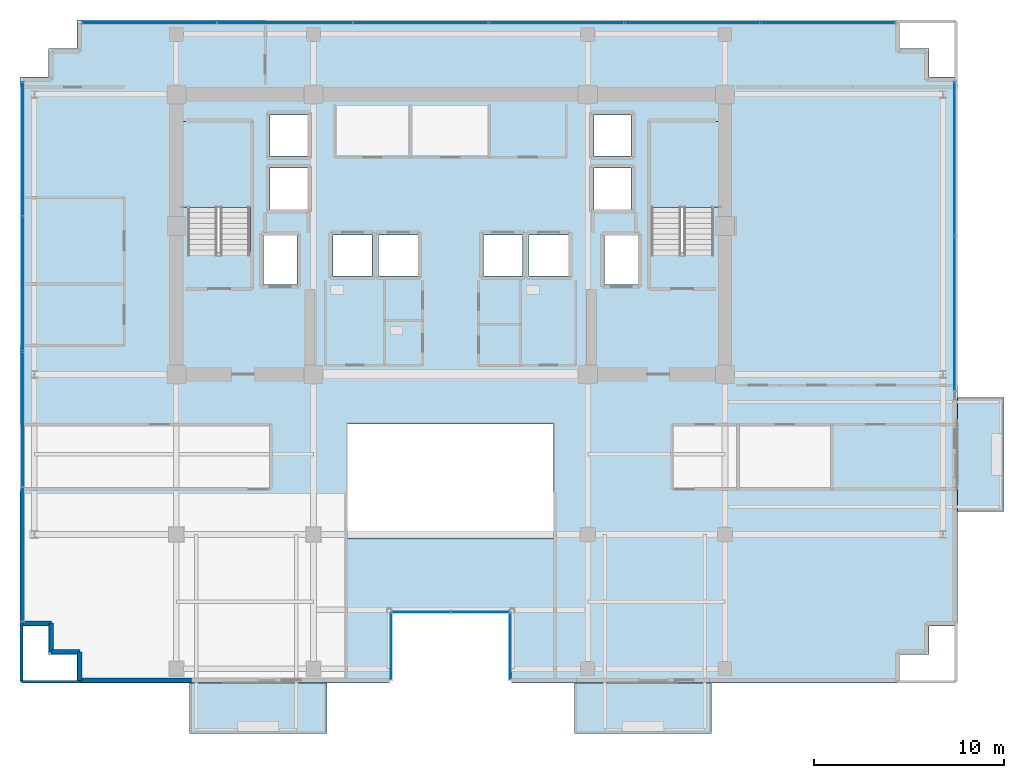
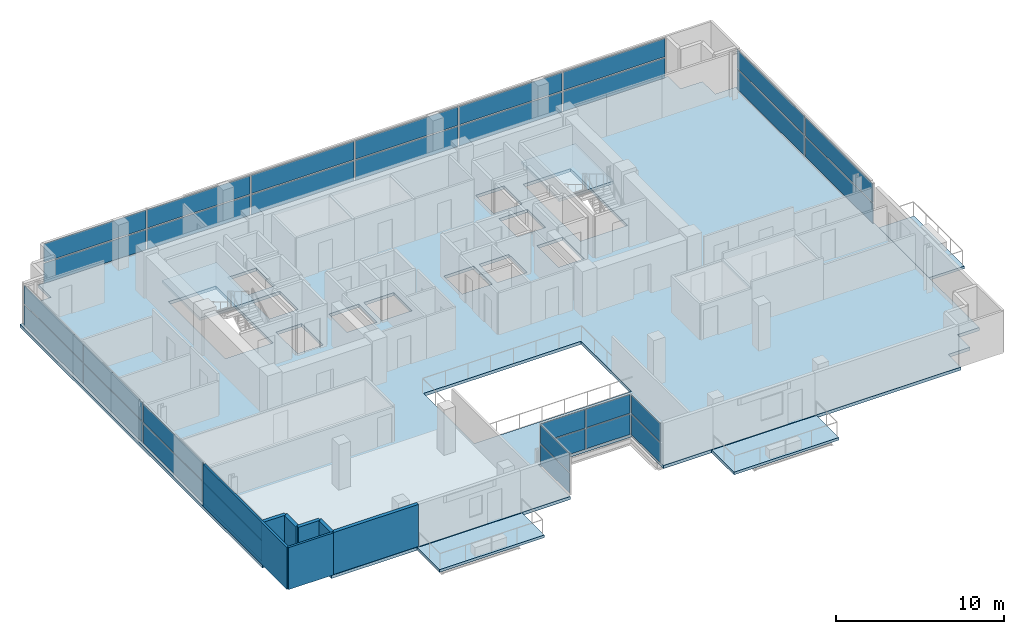
# One storey, part 14 of 22: 32 plates, 7 walls, 6 slabs, 8 elements without a shape of their own.
"""IFC4 building model written with IfcOpenShell, lengths in metres."""

import ifcopenshell
import ifcopenshell.guid

model = None  # the IFC model being written
_history = None  # IfcOwnerHistory: only IFC2X3 demands one
_inside = {}  # id of a spatial element -> (the spatial element, [elements in it])
_under = {}  # id of a project, library or spatial element -> (it, [spatial elements below it])
_declared = {}  # id of a project -> (the project, [libraries it declares])
_typed = {}  # id of a type object -> (the type object, [elements of that type])
_made_of = {}  # id of a material, layer set ... -> (it, [elements and type objects made of it])


def new_model(schema):
    """Start an empty IFC model of exactly this schema.

    Asked for "IFC4X3", IfcOpenShell would pick the latest addendum, in which some entities
    have other attributes; the version numbers below select the first issue.
    IFC2X3 requires an IfcOwnerHistory on every rooted entity: one is made here for all.
    """
    global model, _history
    if schema == "IFC4X3":
        model = ifcopenshell.file(schema_version=(4, 3, 0, 0))
    else:
        model = ifcopenshell.file(schema=schema)
    _inside.clear()
    _under.clear()
    _declared.clear()
    _typed.clear()
    _made_of.clear()
    _history = None
    if model.schema == "IFC2X3":
        org = make("IfcOrganization", Name="unknown")
        user = make(
            "IfcPersonAndOrganization",
            ThePerson=make("IfcPerson", FamilyName="unknown"),
            TheOrganization=org,
        )
        app = make(
            "IfcApplication",
            ApplicationDeveloper=org,
            Version="unknown",
            ApplicationFullName="unknown",
            ApplicationIdentifier="unknown",
        )
        _history = make(
            "IfcOwnerHistory",
            OwningUser=user,
            OwningApplication=app,
            ChangeAction="ADDED",
            CreationDate=0,
        )
    return model


def make(cls, **values):
    """One entity of the class cls with the attributes given. An attribute that is None is left unset."""
    return model.create_entity(
        cls, **{name: value for name, value in values.items() if value is not None}
    )


def rooted(cls, **values):
    """An entity with a GlobalId (a new one), such as an element, a storey or a relation."""
    return make(cls, GlobalId=ifcopenshell.guid.new(), OwnerHistory=_history, **values)


def si_unit(unit_type, name, prefix=None):
    """IfcSIUnit, for example si_unit("LENGTHUNIT", "METRE", prefix="MILLI")."""
    return make("IfcSIUnit", UnitType=unit_type, Prefix=prefix, Name=name)


def assignment(units):
    """IfcUnitAssignment: the units of a project."""
    return None if units is None else make("IfcUnitAssignment", Units=units)


def point(xyz):
    """IfcCartesianPoint."""
    return None if xyz is None else make("IfcCartesianPoint", Coordinates=xyz)


def direction(xyz):
    """IfcDirection."""
    return None if xyz is None else make("IfcDirection", DirectionRatios=xyz)


def frame(location, z_axis=None, x_axis=None):
    """IfcAxis2Placement3D, a coordinate frame: its origin and axes. An axis left out is left unset."""
    return make(
        "IfcAxis2Placement3D",
        Location=point(location),
        Axis=direction(z_axis),
        RefDirection=direction(x_axis),
    )


def frame_2d(location, x_axis=None):
    """IfcAxis2Placement2D, a coordinate frame in the plane: its origin and x axis."""
    return make(
        "IfcAxis2Placement2D", Location=point(location), RefDirection=direction(x_axis)
    )


def origin():
    """The frame at (0, 0, 0) with its axes left unset."""
    return frame((0.0, 0.0, 0.0))


def origin_2d():
    """The frame at (0, 0) in the plane with its x axis left unset."""
    return frame_2d((0.0, 0.0))


def place(relative_to, where):
    """IfcLocalPlacement: puts the frame where relative to a parent placement (None: the world)."""
    return make(
        "IfcLocalPlacement", PlacementRelTo=relative_to, RelativePlacement=where
    )


def context(
    kind, dimensions, precision=None, world=None, true_north=None, identifier=None
):
    """IfcGeometricRepresentationContext, for example the 3D "Model" context."""
    return make(
        "IfcGeometricRepresentationContext",
        ContextIdentifier=identifier,
        ContextType=kind,
        CoordinateSpaceDimension=dimensions,
        Precision=precision,
        WorldCoordinateSystem=world,
        TrueNorth=true_north,
    )


def subcontext(parent, identifier, kind, view, scale=None):
    """IfcGeometricRepresentationSubContext, for example "Body" below "Model"."""
    return make(
        "IfcGeometricRepresentationSubContext",
        ContextIdentifier=identifier,
        ContextType=kind,
        ParentContext=parent,
        TargetScale=scale,
        TargetView=view,
    )


def project(units=None, contexts=None):
    """IfcProject with its units and contexts."""
    return rooted(
        "IfcProject",
        Name="project",
        RepresentationContexts=contexts,
        UnitsInContext=assignment(units),
    )


def spatial(cls, under=None, at=None, **own):
    """A site, building, storey or space (cls), placed at a placement, below another one or the project."""
    s = rooted(cls, ObjectPlacement=at, **own)
    if under is not None:
        _under.setdefault(under.id(), (under, []))[1].append(s)
    return s


def polyline(points):
    """IfcPolyline through the points."""
    return make("IfcPolyline", Points=[point(p) for p in points])


def profile(cls, at=None, kind="AREA", **sizes):
    """A parametric profile (cls). Its sizes go by their IFC names, for example OverallWidth=200.0."""
    return make(cls, ProfileType=kind, Position=at, **sizes)


def rectangle(**sizes):
    """IfcRectangleProfileDef."""
    return profile("IfcRectangleProfileDef", **sizes)


def outline(outer, holes=None, kind="AREA"):
    """IfcArbitraryClosedProfileDef: a profile drawn as a closed curve; with holes, ...WithVoids."""
    if holes is None:
        return make("IfcArbitraryClosedProfileDef", ProfileType=kind, OuterCurve=outer)
    return make(
        "IfcArbitraryProfileDefWithVoids",
        ProfileType=kind,
        OuterCurve=outer,
        InnerCurves=holes,
    )


def extrude(swept, where, along, depth):
    """IfcExtrudedAreaSolid: the profile swept, set in the frame where, extruded along a direction by depth."""
    return make(
        "IfcExtrudedAreaSolid",
        SweptArea=swept,
        Position=where,
        ExtrudedDirection=direction(along),
        Depth=depth,
    )


def shape(context_of_items, identifier, shape_type, items):
    """IfcShapeRepresentation: the items that make up one representation, for example the "Body"."""
    return make(
        "IfcShapeRepresentation",
        ContextOfItems=context_of_items,
        RepresentationIdentifier=identifier,
        RepresentationType=shape_type,
        Items=items,
    )


def source(mapping_origin, context_of_items, identifier, shape_type, items):
    """IfcRepresentationMap: a shape defined once, which mapped items show again and again."""
    return make(
        "IfcRepresentationMap",
        MappingOrigin=mapping_origin,
        MappedRepresentation=shape(context_of_items, identifier, shape_type, items),
    )


def transform(
    local_origin,
    x_axis=None,
    y_axis=None,
    z_axis=None,
    scale=None,
    scale2=None,
    scale3=None,
    uniform=True,
):
    """IfcCartesianTransformationOperator3D, or its non-uniform kind. x_axis, y_axis, z_axis: its Axis1, 2, 3."""
    if uniform:
        return make(
            "IfcCartesianTransformationOperator3D",
            Axis1=direction(x_axis),
            Axis2=direction(y_axis),
            LocalOrigin=point(local_origin),
            Scale=scale,
            Axis3=direction(z_axis),
        )
    return make(
        "IfcCartesianTransformationOperator3DnonUniform",
        Axis1=direction(x_axis),
        Axis2=direction(y_axis),
        LocalOrigin=point(local_origin),
        Scale=scale,
        Axis3=direction(z_axis),
        Scale2=scale2,
        Scale3=scale3,
    )


def mapped(mapping_source, mapping_target):
    """IfcMappedItem: shows the shape of a source again, moved by a transform."""
    return make(
        "IfcMappedItem", MappingSource=mapping_source, MappingTarget=mapping_target
    )


def material(Name=None, Category=None):
    """IfcMaterial."""
    return make("IfcMaterial", Name=Name, Category=Category)


def layer(
    of_material, thickness, ventilated=None, Name=None, Category=None, Priority=None
):
    """IfcMaterialLayer: one layer of a wall or slab, of a material (None: an air gap)."""
    return make(
        "IfcMaterialLayer",
        Material=of_material,
        LayerThickness=thickness,
        IsVentilated=ventilated,
        Name=Name,
        Category=Category,
        Priority=Priority,
    )


def layer_set(layers, Name=None):
    """IfcMaterialLayerSet."""
    return make("IfcMaterialLayerSet", MaterialLayers=layers, LayerSetName=Name)


def made_of(thing, what):
    """Note that an element or type object is made of a material, layer set ...; save() writes the relation."""
    if what is not None:
        _made_of.setdefault(what.id(), (what, []))[1].append(thing)
    return thing


def type_object(cls, material=None, **own):
    """A type object (cls), such as IfcWallType, which elements share."""
    return made_of(rooted(cls, **own), material)


def element(
    cls,
    number,
    at=None,
    inside=None,
    cuts=None,
    type_object=None,
    material=None,
    context=None,
    identifier="Body",
    shape_type=None,
    held_by="IfcProductDefinitionShape",
    body=None,
    shapes=None,
    **own,
):
    """One element of the class cls, such as IfcWall. Its Tag is "e" and its number.

    at: its placement. inside: the storey or other place that contains it. cuts: it is an
    opening in that element (IfcRelVoidsElement). A single representation is given by context,
    identifier, shape_type and body (its items); several are given by shapes. held_by: the class
    of the entity that holds the representations. save() writes the other relations.
    """
    e = rooted(cls, Tag="e%d" % number, ObjectPlacement=at, **own)
    if body is not None:
        shapes = [shape(context, identifier, shape_type, body)]
    if shapes is not None:
        e.Representation = make(held_by, Representations=shapes)
    if inside is not None:
        _inside.setdefault(inside.id(), (inside, []))[1].append(e)
    if cuts is not None:
        rooted(
            "IfcRelVoidsElement", RelatingBuildingElement=cuts, RelatedOpeningElement=e
        )
    if type_object is not None:
        _typed.setdefault(type_object.id(), (type_object, []))[1].append(e)
    return made_of(e, material)


def aggregate(whole, parts):
    """IfcRelAggregates: a whole, such as a stair, and the parts it consists of."""
    return rooted("IfcRelAggregates", RelatingObject=whole, RelatedObjects=parts)


def save(model, path):
    """Write the relations noted so far, then the file.

    IfcRelAggregates (storeys below a building ...), IfcRelContainedInSpatialStructure (elements
    in a storey), IfcRelDefinesByType, IfcRelAssociatesMaterial and IfcRelDeclares: one each for
    every whole, place, type object, material and project.
    """
    for whole, parts in _under.values():
        aggregate(whole, parts)
    for where, things in _inside.values():
        rooted(
            "IfcRelContainedInSpatialStructure",
            RelatedElements=things,
            RelatingStructure=where,
        )
    for kind, things in _typed.values():
        rooted("IfcRelDefinesByType", RelatedObjects=things, RelatingType=kind)
    for what, things in _made_of.values():
        rooted("IfcRelAssociatesMaterial", RelatedObjects=things, RelatingMaterial=what)
    for by, libraries in _declared.values():
        rooted("IfcRelDeclares", RelatingContext=by, RelatedDefinitions=libraries)
    model.write(path)


model = new_model("IFC4")

# Units and contexts
model_context = context("Model", 3, precision=1e-05, world=origin(), true_north=direction((0.0, 1.0)))
body_context = subcontext(model_context, "Body", "Model", "MODEL_VIEW")
ifc_project = project(units=[si_unit("LENGTHUNIT", "METRE"), si_unit("AREAUNIT", "SQUARE_METRE"), si_unit("VOLUMEUNIT", "CUBIC_METRE"), si_unit("PLANEANGLEUNIT", "RADIAN"), si_unit("MASSUNIT", "GRAM", prefix="KILO")], contexts=[model_context])

# Site, building, storey
site_placement = place(None, origin())
site = spatial("IfcSite", under=ifc_project, at=site_placement, CompositionType="ELEMENT")
building_placement = place(site_placement, origin())
building = spatial("IfcBuilding", under=site, at=building_placement, Name="Zarnakvel Exchange Tower", CompositionType="ELEMENT")
storey_placement = place(building_placement, frame((0.0, 0.0, 195.699951171875)))
storey = spatial("IfcBuildingStorey", under=building, at=storey_placement, Name="L55", CompositionType="ELEMENT", Elevation=195.699951171875)

# Stair, slab
ifc_material_1 = material(Name="Concrete C40/50", Category="concrete")
stair_type = type_object("IfcStairType", Name="STR-01", PredefinedType="HALF_TURN_STAIR", material=ifc_material_1)
stair_1_placement = place(storey_placement, origin())
stair_1 = element("IfcStair", 1, at=stair_1_placement, inside=storey, type_object=stair_type, Name="L55 Protected Core Exit Stair ST-01", PredefinedType="HALF_TURN_STAIR")
ifc_layer_1 = layer(ifc_material_1, 0.199951171875)
ifc_layer_set_1 = layer_set([ifc_layer_1], Name="Concrete C40/50")
slab_type_1 = type_object("IfcSlabType", Name="LDG-01", PredefinedType="LANDING", material=ifc_layer_set_1)
slab_1_placement = place(storey_placement, frame((0.0, 0.0, 1.449951171875)))
slab_1 = element("IfcSlab", 2, at=slab_1_placement, type_object=slab_type_1, Name="ST-01 landing 1", PredefinedType="LANDING", context=body_context, shape_type="SweptSolid", body=[
    extrude(outline(polyline([(-14.18994140625, 7.570068359375), (-10.4599609375, 7.570068359375), (-10.4599609375, 12.080078125), (-14.18994140625, 12.080078125), (-14.18994140625, 7.570068359375)])), origin(), (0.0, 0.0, 1.0), 0.2001953125),
])
aggregate(stair_1, [slab_1])

stair_2_placement = place(storey_placement, origin())
stair_2 = element("IfcStair", 3, at=stair_2_placement, inside=storey, type_object=stair_type, Name="L55 Protected Core Exit Stair ST-02", PredefinedType="HALF_TURN_STAIR")
slab_2_placement = place(storey_placement, frame((0.0, 0.0, 1.449951171875)))
slab_2 = element("IfcSlab", 4, at=slab_2_placement, type_object=slab_type_1, Name="ST-02 landing 1", PredefinedType="LANDING", context=body_context, shape_type="SweptSolid", body=[
    extrude(outline(polyline([(10.4599609375, 7.570068359375), (14.18994140625, 7.570068359375), (14.18994140625, 12.080078125), (10.4599609375, 12.080078125), (10.4599609375, 7.570068359375)])), origin(), (0.0, 0.0, 1.0), 0.2001953125),
])
aggregate(stair_2, [slab_2])

# Slabs
ifc_layer_2 = layer(ifc_material_1, 0.22509765625)
ifc_layer_set_2 = layer_set([ifc_layer_2], Name="Concrete C40/50")
slab_type_2 = type_object("IfcSlabType", Name="SL-04", PredefinedType="FLOOR", material=ifc_layer_set_2)
slab_3_placement = place(storey_placement, frame((0.0, 0.0, -0.224853515625)))
element("IfcSlab", 5, at=slab_3_placement, inside=storey, type_object=slab_type_2, Name="L55 Primary Structural Floor Slab", PredefinedType="FLOOR", context=body_context, shape_type="SweptSolid", body=[
    extrude(outline(polyline([(-22.60009765625, -14.39990234375), (-21.10009765625, -14.39990234375), (-21.10009765625, -15.89990234375), (-19.60009765625, -15.89990234375), (-19.60009765625, -17.39990234375), (-3.199951171875, -17.39990234375), (-3.199951171875, -13.60009765625), (3.199951171875, -13.60009765625), (3.199951171875, -17.39990234375), (23.60009765625, -17.39990234375), (23.60009765625, -15.89990234375), (25.10009765625, -15.89990234375), (25.10009765625, -14.39990234375), (26.60009765625, -14.39990234375), (26.60009765625, 14.39990234375), (25.10009765625, 14.39990234375), (25.10009765625, 15.89990234375), (23.60009765625, 15.89990234375), (23.60009765625, 17.39990234375), (-19.60009765625, 17.39990234375), (-19.60009765625, 15.89990234375), (-21.10009765625, 15.89990234375), (-21.10009765625, 14.39990234375), (-22.60009765625, 14.39990234375), (-22.60009765625, -14.39990234375)]), holes=[polyline([(-5.39990234375, -9.800048828125), (5.39990234375, -9.800048828125), (5.39990234375, -3.800048828125), (-5.39990234375, -3.800048828125), (-5.39990234375, -9.800048828125)]), polyline([(-13.800048828125, 5.2099609375), (-10.5400390625, 5.2099609375), (-10.5400390625, 12.0), (-13.800048828125, 12.0), (-13.800048828125, 5.2099609375)]), polyline([(10.5400390625, 5.2099609375), (13.800048828125, 5.2099609375), (13.800048828125, 12.0), (10.5400390625, 12.0), (10.5400390625, 5.2099609375)]), polyline([(-9.830078125, 3.52001953125), (-8.070068359375, 3.52001953125), (-8.070068359375, 6.080078125), (-9.830078125, 6.080078125), (-9.830078125, 3.52001953125)]), polyline([(8.070068359375, 3.52001953125), (9.830078125, 3.52001953125), (9.830078125, 6.080078125), (8.070068359375, 6.080078125), (8.070068359375, 3.52001953125)]), polyline([(-6.179931640625, 3.969970703125), (-4.1201171875, 3.969970703125), (-4.1201171875, 6.1298828125), (-6.179931640625, 6.1298828125), (-6.179931640625, 3.969970703125)]), polyline([(-3.780029296875, 3.969970703125), (-1.719970703125, 3.969970703125), (-1.719970703125, 6.1298828125), (-3.780029296875, 6.1298828125), (-3.780029296875, 3.969970703125)]), polyline([(1.719970703125, 3.969970703125), (3.780029296875, 3.969970703125), (3.780029296875, 6.1298828125), (1.719970703125, 6.1298828125), (1.719970703125, 3.969970703125)]), polyline([(4.1201171875, 3.969970703125), (6.179931640625, 3.969970703125), (6.179931640625, 6.1298828125), (4.1201171875, 6.1298828125), (4.1201171875, 3.969970703125)]), polyline([(-9.47998046875, 7.469970703125), (-7.52001953125, 7.469970703125), (-7.52001953125, 9.6298828125), (-9.47998046875, 9.6298828125), (-9.47998046875, 7.469970703125)]), polyline([(-9.47998046875, 10.27001953125), (-7.52001953125, 10.27001953125), (-7.52001953125, 12.429931640625), (-9.47998046875, 12.429931640625), (-9.47998046875, 10.27001953125)]), polyline([(7.52001953125, 7.469970703125), (9.47998046875, 7.469970703125), (9.47998046875, 9.6298828125), (7.52001953125, 9.6298828125), (7.52001953125, 7.469970703125)]), polyline([(7.52001953125, 10.27001953125), (9.47998046875, 10.27001953125), (9.47998046875, 12.429931640625), (7.52001953125, 12.429931640625), (7.52001953125, 10.27001953125)])]), origin(), (0.0, 0.0, 1.0), 0.224853515625),
])
ifc_layer_3 = layer(ifc_material_1, 0.18994140625)
ifc_layer_set_3 = layer_set([ifc_layer_3], Name="Concrete C40/50")
slab_type_3 = type_object("IfcSlabType", Name="SL-08", PredefinedType="USERDEFINED", material=ifc_layer_set_3)
slab_4_placement = place(storey_placement, frame((0.0, 0.0, -0.224853515625)))
element("IfcSlab", 6, at=slab_4_placement, inside=storey, type_object=slab_type_3, Name="L55 Planted Loggia Balcony Slab BAL-L55-SW", ObjectType="BALCONY", PredefinedType="USERDEFINED", context=body_context, shape_type="SweptSolid", body=[
    extrude(outline(polyline([(-13.699951171875, -20.050048828125), (-6.5, -20.050048828125), (-6.5, -17.39990234375), (-13.699951171875, -17.39990234375), (-13.699951171875, -20.050048828125)])), origin(), (0.0, 0.0, 1.0), 0.18994140625),
])
slab_5_placement = place(storey_placement, frame((0.0, 0.0, -0.224853515625)))
element("IfcSlab", 7, at=slab_5_placement, inside=storey, type_object=slab_type_3, Name="L55 Planted Loggia Balcony Slab BAL-L55-SE", ObjectType="BALCONY", PredefinedType="USERDEFINED", context=body_context, shape_type="SweptSolid", body=[
    extrude(outline(polyline([(6.5, -20.050048828125), (13.699951171875, -20.050048828125), (13.699951171875, -17.39990234375), (6.5, -17.39990234375), (6.5, -20.050048828125)])), origin(), (0.0, 0.0, 1.0), 0.18994140625),
])
slab_6_placement = place(storey_placement, frame((0.0, 0.0, -0.224853515625)))
element("IfcSlab", 8, at=slab_6_placement, inside=storey, type_object=slab_type_3, Name="L55 Planted Loggia Balcony Slab BAL-L55-E", ObjectType="BALCONY", PredefinedType="USERDEFINED", context=body_context, shape_type="SweptSolid", body=[
    extrude(outline(polyline([(26.60009765625, -8.39990234375), (29.050048828125, -8.39990234375), (29.050048828125, -2.39990234375), (26.60009765625, -2.39990234375), (26.60009765625, -8.39990234375)])), origin(), (0.0, 0.0, 1.0), 0.18994140625),
])

# Curtain wall, plate
ifc_material_2 = material(Name="Architectural Bronze Anodised Aluminium", Category="aluminium")
ifc_layer_4 = layer(ifc_material_2, 0.179931640625)
ifc_layer_set_4 = layer_set([ifc_layer_4], Name="Architectural Bronze Anodised Aluminium")
curtain_wall_type_1 = type_object("IfcCurtainWallType", Name="CW-05", PredefinedType="NOTDEFINED", material=ifc_layer_set_4)
curtain_wall_1_placement = place(storey_placement, origin())
curtain_wall_1 = element("IfcCurtainWall", 9, at=curtain_wall_1_placement, inside=storey, type_object=curtain_wall_type_1, Name="L55 Curtain Wall CW-L55-SLW (CW-05)", PredefinedType="NOTDEFINED")
ifc_material_3 = material(Name="Double Low-E Laminated Vision Glass", Category="glass")
ifc_layer_5 = layer(ifc_material_3, 0.02587890625)
ifc_layer_set_5 = layer_set([ifc_layer_5], Name="Double Low-E Laminated Vision Glass")
plate_type_1 = type_object("IfcPlateType", Name="CWP-05", PredefinedType="CURTAIN_PANEL", material=ifc_layer_set_5)
shared_shape_1 = source(origin(), body_context, "Body", "SweptSolid", [
    extrude(rectangle(XDim=3.4599609375, YDim=0.02587890625, at=origin_2d()), origin(), (0.0, 0.0, 1.0), 1.470703125),
])
plate_1_placement = place(storey_placement, frame((-3.1201171875, -15.47998046875, 0.070068359375), z_axis=(0.0, 0.0, 1.0), x_axis=(0.0, 1.0, 0.0)))
plate_1 = element("IfcPlate", 10, at=plate_1_placement, type_object=plate_type_1, Name="CW-05 panel 1.1", PredefinedType="CURTAIN_PANEL", context=body_context, shape_type="MappedRepresentation", body=[
    mapped(shared_shape_1, transform((0.0, 0.0, 0.0), x_axis=(1.0, 0.0, 0.0), y_axis=(0.0, 1.0, 0.0), z_axis=(0.0, 0.0, 1.0), scale=1.0)),
])

curtain_wall_2_placement = place(storey_placement, origin())
curtain_wall_2 = element("IfcCurtainWall", 11, at=curtain_wall_2_placement, inside=storey, type_object=curtain_wall_type_1, Name="L55 Curtain Wall CW-L55-SLE (CW-05)", PredefinedType="NOTDEFINED")
plate_2_placement = place(storey_placement, frame((3.1201171875, -15.47998046875, 0.070068359375), z_axis=(0.0, 0.0, 1.0), x_axis=(0.0, -1.0, 0.0)))
plate_2 = element("IfcPlate", 12, at=plate_2_placement, type_object=plate_type_1, Name="CW-05 panel 1.1", PredefinedType="CURTAIN_PANEL", context=body_context, shape_type="MappedRepresentation", body=[
    mapped(shared_shape_1, transform((0.0, 0.0, 0.0), x_axis=(1.0, 0.0, 0.0), y_axis=(0.0, 1.0, 0.0), z_axis=(0.0, 0.0, 1.0), scale=1.0)),
])

# Plate
shared_shape_2 = source(origin(), body_context, "Body", "SweptSolid", [
    extrude(rectangle(XDim=3.4599609375, YDim=0.02587890625, at=origin_2d()), origin(), (0.0, 0.0, 1.0), 1.349365234375),
])
plate_3_placement = place(storey_placement, frame((-3.1201171875, -15.47998046875, 1.61083984375), z_axis=(0.0, 0.0, 1.0), x_axis=(0.0, 1.0, 0.0)))
plate_3 = element("IfcPlate", 13, at=plate_3_placement, type_object=plate_type_1, Name="CW-05 panel 1.2", PredefinedType="CURTAIN_PANEL", context=body_context, shape_type="MappedRepresentation", body=[
    mapped(shared_shape_2, transform((0.0, 0.0, 0.0), x_axis=(1.0, 0.0, 0.0), y_axis=(0.0, 1.0, 0.0), z_axis=(0.0, 0.0, 1.0), scale=1.0)),
])

aggregate(curtain_wall_1, [plate_1, plate_3])

plate_4_placement = place(storey_placement, frame((3.1201171875, -15.47998046875, 1.61083984375), z_axis=(0.0, 0.0, 1.0), x_axis=(0.0, -1.0, 0.0)))
plate_4 = element("IfcPlate", 14, at=plate_4_placement, type_object=plate_type_1, Name="CW-05 panel 1.2", PredefinedType="CURTAIN_PANEL", context=body_context, shape_type="MappedRepresentation", body=[
    mapped(shared_shape_2, transform((0.0, 0.0, 0.0), x_axis=(1.0, 0.0, 0.0), y_axis=(0.0, 1.0, 0.0), z_axis=(0.0, 0.0, 1.0), scale=1.0)),
])

aggregate(curtain_wall_2, [plate_2, plate_4])

# Curtain wall, plates
curtain_wall_3_placement = place(storey_placement, origin())
curtain_wall_3 = element("IfcCurtainWall", 15, at=curtain_wall_3_placement, inside=storey, type_object=curtain_wall_type_1, Name="L55 Curtain Wall CW-L55-SLB (CW-05)", PredefinedType="NOTDEFINED")
shared_shape_3 = source(origin(), body_context, "Body", "SweptSolid", [
    extrude(rectangle(XDim=3.014892578125, YDim=0.02587890625, at=origin_2d()), origin(), (0.0, 0.0, 1.0), 1.470703125),
])
plate_5_placement = place(storey_placement, frame((-1.54248046875, -13.679931640625, 0.070068359375), z_axis=(0.0, 0.0, 1.0), x_axis=(1.0, 0.0, 0.0)))
plate_5 = element("IfcPlate", 16, at=plate_5_placement, type_object=plate_type_1, Name="CW-05 panel 1.1", PredefinedType="CURTAIN_PANEL", context=body_context, shape_type="MappedRepresentation", body=[
    mapped(shared_shape_3, transform((0.0, 0.0, 0.0), x_axis=(1.0, 0.0, 0.0), y_axis=(0.0, 1.0, 0.0), z_axis=(0.0, 0.0, 1.0), scale=1.0)),
])
plate_6_placement = place(storey_placement, frame((1.54248046875, -13.679931640625, 0.070068359375), z_axis=(0.0, 0.0, 1.0), x_axis=(1.0, 0.0, 0.0)))
plate_6 = element("IfcPlate", 17, at=plate_6_placement, type_object=plate_type_1, Name="CW-05 panel 2.1", PredefinedType="CURTAIN_PANEL", context=body_context, shape_type="MappedRepresentation", body=[
    mapped(shared_shape_3, transform((0.0, 0.0, 0.0), x_axis=(1.0, 0.0, 0.0), y_axis=(0.0, 1.0, 0.0), z_axis=(0.0, 0.0, 1.0), scale=1.0)),
])
shared_shape_4 = source(origin(), body_context, "Body", "SweptSolid", [
    extrude(rectangle(XDim=3.014892578125, YDim=0.02587890625, at=origin_2d()), origin(), (0.0, 0.0, 1.0), 1.349365234375),
])
plate_7_placement = place(storey_placement, frame((-1.54248046875, -13.679931640625, 1.61083984375), z_axis=(0.0, 0.0, 1.0), x_axis=(1.0, 0.0, 0.0)))
plate_7 = element("IfcPlate", 18, at=plate_7_placement, type_object=plate_type_1, Name="CW-05 panel 1.2", PredefinedType="CURTAIN_PANEL", context=body_context, shape_type="MappedRepresentation", body=[
    mapped(shared_shape_4, transform((0.0, 0.0, 0.0), x_axis=(1.0, 0.0, 0.0), y_axis=(0.0, 1.0, 0.0), z_axis=(0.0, 0.0, 1.0), scale=1.0)),
])
plate_8_placement = place(storey_placement, frame((1.54248046875, -13.679931640625, 1.61083984375), z_axis=(0.0, 0.0, 1.0), x_axis=(1.0, 0.0, 0.0)))
plate_8 = element("IfcPlate", 19, at=plate_8_placement, type_object=plate_type_1, Name="CW-05 panel 2.2", PredefinedType="CURTAIN_PANEL", context=body_context, shape_type="MappedRepresentation", body=[
    mapped(shared_shape_4, transform((0.0, 0.0, 0.0), x_axis=(1.0, 0.0, 0.0), y_axis=(0.0, 1.0, 0.0), z_axis=(0.0, 0.0, 1.0), scale=1.0)),
])
aggregate(curtain_wall_3, [plate_5, plate_7, plate_6, plate_8])

ifc_layer_6 = layer(ifc_material_2, 0.219970703125)
ifc_layer_set_6 = layer_set([ifc_layer_6], Name="Architectural Bronze Anodised Aluminium")
curtain_wall_type_2 = type_object("IfcCurtainWallType", Name="CW-03", PredefinedType="NOTDEFINED", material=ifc_layer_set_6)
curtain_wall_4_placement = place(storey_placement, origin())
curtain_wall_4 = element("IfcCurtainWall", 20, at=curtain_wall_4_placement, inside=storey, type_object=curtain_wall_type_2, Name="L55 Curtain Wall CW-L55-N1 (CW-03)", PredefinedType="NOTDEFINED")
ifc_layer_7 = layer(ifc_material_3, 0.030029296875)
ifc_layer_set_7 = layer_set([ifc_layer_7], Name="Double Low-E Laminated Vision Glass")
plate_type_2 = type_object("IfcPlateType", Name="CWP-03", PredefinedType="CURTAIN_PANEL", material=ifc_layer_set_7)
shared_shape_5 = source(origin(), body_context, "Body", "SweptSolid", [
    extrude(rectangle(XDim=7.013427734375, YDim=0.030029296875, at=origin_2d()), origin(), (0.0, 0.0, 1.0), 1.45556640625),
])
plate_9_placement = place(storey_placement, frame((-15.813232421875, 17.260009765625, 0.080078125), z_axis=(0.0, 0.0, 1.0), x_axis=(1.0, 0.0, 0.0)))
plate_9 = element("IfcPlate", 21, at=plate_9_placement, type_object=plate_type_2, Name="CW-03 panel 1.1", PredefinedType="CURTAIN_PANEL", context=body_context, shape_type="MappedRepresentation", body=[
    mapped(shared_shape_5, transform((0.0, 0.0, 0.0), x_axis=(1.0, 0.0, 0.0), y_axis=(0.0, 1.0, 0.0), z_axis=(0.0, 0.0, 1.0), scale=1.0)),
])
plate_10_placement = place(storey_placement, frame((19.813232421875, 17.260009765625, 0.080078125), z_axis=(0.0, 0.0, 1.0), x_axis=(1.0, 0.0, 0.0)))
plate_10 = element("IfcPlate", 22, at=plate_10_placement, type_object=plate_type_2, Name="CW-03 panel 6.1", PredefinedType="CURTAIN_PANEL", context=body_context, shape_type="MappedRepresentation", body=[
    mapped(shared_shape_5, transform((0.0, 0.0, 0.0), x_axis=(1.0, 0.0, 0.0), y_axis=(0.0, 1.0, 0.0), z_axis=(0.0, 0.0, 1.0), scale=1.0)),
])
shared_shape_6 = source(origin(), body_context, "Body", "SweptSolid", [
    extrude(rectangle(XDim=7.013427734375, YDim=0.030029296875, at=origin_2d()), origin(), (0.0, 0.0, 1.0), 1.33447265625),
])
plate_11_placement = place(storey_placement, frame((-15.813232421875, 17.260009765625, 1.61572265625), z_axis=(0.0, 0.0, 1.0), x_axis=(1.0, 0.0, 0.0)))
plate_11 = element("IfcPlate", 23, at=plate_11_placement, type_object=plate_type_2, Name="CW-03 panel 1.2", PredefinedType="CURTAIN_PANEL", context=body_context, shape_type="MappedRepresentation", body=[
    mapped(shared_shape_6, transform((0.0, 0.0, 0.0), x_axis=(1.0, 0.0, 0.0), y_axis=(0.0, 1.0, 0.0), z_axis=(0.0, 0.0, 1.0), scale=1.0)),
])
plate_12_placement = place(storey_placement, frame((19.813232421875, 17.260009765625, 1.61572265625), z_axis=(0.0, 0.0, 1.0), x_axis=(1.0, 0.0, 0.0)))
plate_12 = element("IfcPlate", 24, at=plate_12_placement, type_object=plate_type_2, Name="CW-03 panel 6.2", PredefinedType="CURTAIN_PANEL", context=body_context, shape_type="MappedRepresentation", body=[
    mapped(shared_shape_6, transform((0.0, 0.0, 0.0), x_axis=(1.0, 0.0, 0.0), y_axis=(0.0, 1.0, 0.0), z_axis=(0.0, 0.0, 1.0), scale=1.0)),
])
shared_shape_7 = source(origin(), body_context, "Body", "SweptSolid", [
    extrude(rectangle(XDim=7.05322265625, YDim=0.030029296875, at=origin_2d()), origin(), (0.0, 0.0, 1.0), 1.45556640625),
])
plate_13_placement = place(storey_placement, frame((-8.699951171875, 17.260009765625, 0.080078125), z_axis=(0.0, 0.0, 1.0), x_axis=(1.0, 0.0, 0.0)))
plate_13 = element("IfcPlate", 25, at=plate_13_placement, type_object=plate_type_2, Name="CW-03 panel 2.1", PredefinedType="CURTAIN_PANEL", context=body_context, shape_type="MappedRepresentation", body=[
    mapped(shared_shape_7, transform((0.0, 0.0, 0.0), x_axis=(1.0, 0.0, 0.0), y_axis=(0.0, 1.0, 0.0), z_axis=(0.0, 0.0, 1.0), scale=1.0)),
])
plate_14_placement = place(storey_placement, frame((-1.566650390625, 17.260009765625, 0.080078125), z_axis=(0.0, 0.0, 1.0), x_axis=(1.0, 0.0, 0.0)))
plate_14 = element("IfcPlate", 26, at=plate_14_placement, type_object=plate_type_2, Name="CW-03 panel 3.1", PredefinedType="CURTAIN_PANEL", context=body_context, shape_type="MappedRepresentation", body=[
    mapped(shared_shape_7, transform((0.0, 0.0, 0.0), x_axis=(1.0, 0.0, 0.0), y_axis=(0.0, 1.0, 0.0), z_axis=(0.0, 0.0, 1.0), scale=1.0)),
])
plate_15_placement = place(storey_placement, frame((5.566650390625, 17.260009765625, 0.080078125), z_axis=(0.0, 0.0, 1.0), x_axis=(1.0, 0.0, 0.0)))
plate_15 = element("IfcPlate", 27, at=plate_15_placement, type_object=plate_type_2, Name="CW-03 panel 4.1", PredefinedType="CURTAIN_PANEL", context=body_context, shape_type="MappedRepresentation", body=[
    mapped(shared_shape_7, transform((0.0, 0.0, 0.0), x_axis=(1.0, 0.0, 0.0), y_axis=(0.0, 1.0, 0.0), z_axis=(0.0, 0.0, 1.0), scale=1.0)),
])
plate_16_placement = place(storey_placement, frame((12.699951171875, 17.260009765625, 0.080078125), z_axis=(0.0, 0.0, 1.0), x_axis=(1.0, 0.0, 0.0)))
plate_16 = element("IfcPlate", 28, at=plate_16_placement, type_object=plate_type_2, Name="CW-03 panel 5.1", PredefinedType="CURTAIN_PANEL", context=body_context, shape_type="MappedRepresentation", body=[
    mapped(shared_shape_7, transform((0.0, 0.0, 0.0), x_axis=(1.0, 0.0, 0.0), y_axis=(0.0, 1.0, 0.0), z_axis=(0.0, 0.0, 1.0), scale=1.0)),
])
shared_shape_8 = source(origin(), body_context, "Body", "SweptSolid", [
    extrude(rectangle(XDim=7.05322265625, YDim=0.030029296875, at=origin_2d()), origin(), (0.0, 0.0, 1.0), 1.33447265625),
])
plate_17_placement = place(storey_placement, frame((-8.699951171875, 17.260009765625, 1.61572265625), z_axis=(0.0, 0.0, 1.0), x_axis=(1.0, 0.0, 0.0)))
plate_17 = element("IfcPlate", 29, at=plate_17_placement, type_object=plate_type_2, Name="CW-03 panel 2.2", PredefinedType="CURTAIN_PANEL", context=body_context, shape_type="MappedRepresentation", body=[
    mapped(shared_shape_8, transform((0.0, 0.0, 0.0), x_axis=(1.0, 0.0, 0.0), y_axis=(0.0, 1.0, 0.0), z_axis=(0.0, 0.0, 1.0), scale=1.0)),
])
plate_18_placement = place(storey_placement, frame((-1.566650390625, 17.260009765625, 1.61572265625), z_axis=(0.0, 0.0, 1.0), x_axis=(1.0, 0.0, 0.0)))
plate_18 = element("IfcPlate", 30, at=plate_18_placement, type_object=plate_type_2, Name="CW-03 panel 3.2", PredefinedType="CURTAIN_PANEL", context=body_context, shape_type="MappedRepresentation", body=[
    mapped(shared_shape_8, transform((0.0, 0.0, 0.0), x_axis=(1.0, 0.0, 0.0), y_axis=(0.0, 1.0, 0.0), z_axis=(0.0, 0.0, 1.0), scale=1.0)),
])
plate_19_placement = place(storey_placement, frame((5.566650390625, 17.260009765625, 1.61572265625), z_axis=(0.0, 0.0, 1.0), x_axis=(1.0, 0.0, 0.0)))
plate_19 = element("IfcPlate", 31, at=plate_19_placement, type_object=plate_type_2, Name="CW-03 panel 4.2", PredefinedType="CURTAIN_PANEL", context=body_context, shape_type="MappedRepresentation", body=[
    mapped(shared_shape_8, transform((0.0, 0.0, 0.0), x_axis=(1.0, 0.0, 0.0), y_axis=(0.0, 1.0, 0.0), z_axis=(0.0, 0.0, 1.0), scale=1.0)),
])
plate_20_placement = place(storey_placement, frame((12.699951171875, 17.260009765625, 1.61572265625), z_axis=(0.0, 0.0, 1.0), x_axis=(1.0, 0.0, 0.0)))
plate_20 = element("IfcPlate", 32, at=plate_20_placement, type_object=plate_type_2, Name="CW-03 panel 5.2", PredefinedType="CURTAIN_PANEL", context=body_context, shape_type="MappedRepresentation", body=[
    mapped(shared_shape_8, transform((0.0, 0.0, 0.0), x_axis=(1.0, 0.0, 0.0), y_axis=(0.0, 1.0, 0.0), z_axis=(0.0, 0.0, 1.0), scale=1.0)),
])
aggregate(curtain_wall_4, [plate_9, plate_11, plate_13, plate_17, plate_14, plate_18, plate_15, plate_19, plate_16, plate_20, plate_10, plate_12])

ifc_layer_8 = layer(ifc_material_2, 0.199951171875)
ifc_layer_set_8 = layer_set([ifc_layer_8], Name="Architectural Bronze Anodised Aluminium")
curtain_wall_type_3 = type_object("IfcCurtainWallType", Name="CW-04", PredefinedType="NOTDEFINED", material=ifc_layer_set_8)
curtain_wall_5_placement = place(storey_placement, origin())
curtain_wall_5 = element("IfcCurtainWall", 33, at=curtain_wall_5_placement, inside=storey, type_object=curtain_wall_type_3, Name="L55 Curtain Wall CW-L55-W1 (CW-04)", PredefinedType="NOTDEFINED")
ifc_layer_9 = layer(ifc_material_3, 0.028076171875)
ifc_layer_set_9 = layer_set([ifc_layer_9], Name="Double Low-E Laminated Vision Glass")
plate_type_3 = type_object("IfcPlateType", Name="CWP-04", PredefinedType="CURTAIN_PANEL", material=ifc_layer_set_9)
shared_shape_9 = source(origin(), body_context, "Body", "SweptSolid", [
    extrude(rectangle(XDim=6.987548828125, YDim=0.028076171875, at=origin_2d()), origin(), (0.0, 0.0, 1.0), 1.463134765625),
])
plate_21_placement = place(storey_placement, frame((-22.4599609375, -10.63134765625, 0.0751953125), z_axis=(0.0, 0.0, 1.0), x_axis=(0.0, 1.0, 0.0)))
plate_21 = element("IfcPlate", 34, at=plate_21_placement, type_object=plate_type_3, Name="CW-04 panel 1.1", PredefinedType="CURTAIN_PANEL", context=body_context, shape_type="MappedRepresentation", body=[
    mapped(shared_shape_9, transform((0.0, 0.0, 0.0), x_axis=(1.0, 0.0, 0.0), y_axis=(0.0, 1.0, 0.0), z_axis=(0.0, 0.0, 1.0), scale=1.0)),
])
plate_22_placement = place(storey_placement, frame((-22.4599609375, 10.63134765625, 0.0751953125), z_axis=(0.0, 0.0, 1.0), x_axis=(0.0, 1.0, 0.0)))
plate_22 = element("IfcPlate", 35, at=plate_22_placement, type_object=plate_type_3, Name="CW-04 panel 4.1", PredefinedType="CURTAIN_PANEL", context=body_context, shape_type="MappedRepresentation", body=[
    mapped(shared_shape_9, transform((0.0, 0.0, 0.0), x_axis=(1.0, 0.0, 0.0), y_axis=(0.0, 1.0, 0.0), z_axis=(0.0, 0.0, 1.0), scale=1.0)),
])
shared_shape_10 = source(origin(), body_context, "Body", "SweptSolid", [
    extrude(rectangle(XDim=6.987548828125, YDim=0.028076171875, at=origin_2d()), origin(), (0.0, 0.0, 1.0), 1.341796875),
])
plate_23_placement = place(storey_placement, frame((-22.4599609375, -10.63134765625, 1.61328125), z_axis=(0.0, 0.0, 1.0), x_axis=(0.0, 1.0, 0.0)))
plate_23 = element("IfcPlate", 36, at=plate_23_placement, type_object=plate_type_3, Name="CW-04 panel 1.2", PredefinedType="CURTAIN_PANEL", context=body_context, shape_type="MappedRepresentation", body=[
    mapped(shared_shape_10, transform((0.0, 0.0, 0.0), x_axis=(1.0, 0.0, 0.0), y_axis=(0.0, 1.0, 0.0), z_axis=(0.0, 0.0, 1.0), scale=1.0)),
])
plate_24_placement = place(storey_placement, frame((-22.4599609375, 10.63134765625, 1.61328125), z_axis=(0.0, 0.0, 1.0), x_axis=(0.0, 1.0, 0.0)))
plate_24 = element("IfcPlate", 37, at=plate_24_placement, type_object=plate_type_3, Name="CW-04 panel 4.2", PredefinedType="CURTAIN_PANEL", context=body_context, shape_type="MappedRepresentation", body=[
    mapped(shared_shape_10, transform((0.0, 0.0, 0.0), x_axis=(1.0, 0.0, 0.0), y_axis=(0.0, 1.0, 0.0), z_axis=(0.0, 0.0, 1.0), scale=1.0)),
])
shared_shape_11 = source(origin(), body_context, "Body", "SweptSolid", [
    extrude(rectangle(XDim=7.02490234375, YDim=0.028076171875, at=origin_2d()), origin(), (0.0, 0.0, 1.0), 1.463134765625),
])
plate_25_placement = place(storey_placement, frame((-22.4599609375, -3.550048828125, 0.0751953125), z_axis=(0.0, 0.0, 1.0), x_axis=(0.0, 1.0, 0.0)))
plate_25 = element("IfcPlate", 38, at=plate_25_placement, type_object=plate_type_3, Name="CW-04 panel 2.1", PredefinedType="CURTAIN_PANEL", context=body_context, shape_type="MappedRepresentation", body=[
    mapped(shared_shape_11, transform((0.0, 0.0, 0.0), x_axis=(1.0, 0.0, 0.0), y_axis=(0.0, 1.0, 0.0), z_axis=(0.0, 0.0, 1.0), scale=1.0)),
])
plate_26_placement = place(storey_placement, frame((-22.4599609375, 3.550048828125, 0.0751953125), z_axis=(0.0, 0.0, 1.0), x_axis=(0.0, 1.0, 0.0)))
plate_26 = element("IfcPlate", 39, at=plate_26_placement, type_object=plate_type_3, Name="CW-04 panel 3.1", PredefinedType="CURTAIN_PANEL", context=body_context, shape_type="MappedRepresentation", body=[
    mapped(shared_shape_11, transform((0.0, 0.0, 0.0), x_axis=(1.0, 0.0, 0.0), y_axis=(0.0, 1.0, 0.0), z_axis=(0.0, 0.0, 1.0), scale=1.0)),
])
shared_shape_12 = source(origin(), body_context, "Body", "SweptSolid", [
    extrude(rectangle(XDim=7.02490234375, YDim=0.028076171875, at=origin_2d()), origin(), (0.0, 0.0, 1.0), 1.341796875),
])
plate_27_placement = place(storey_placement, frame((-22.4599609375, -3.550048828125, 1.61328125), z_axis=(0.0, 0.0, 1.0), x_axis=(0.0, 1.0, 0.0)))
plate_27 = element("IfcPlate", 40, at=plate_27_placement, type_object=plate_type_3, Name="CW-04 panel 2.2", PredefinedType="CURTAIN_PANEL", context=body_context, shape_type="MappedRepresentation", body=[
    mapped(shared_shape_12, transform((0.0, 0.0, 0.0), x_axis=(1.0, 0.0, 0.0), y_axis=(0.0, 1.0, 0.0), z_axis=(0.0, 0.0, 1.0), scale=1.0)),
])
plate_28_placement = place(storey_placement, frame((-22.4599609375, 3.550048828125, 1.61328125), z_axis=(0.0, 0.0, 1.0), x_axis=(0.0, 1.0, 0.0)))
plate_28 = element("IfcPlate", 41, at=plate_28_placement, type_object=plate_type_3, Name="CW-04 panel 3.2", PredefinedType="CURTAIN_PANEL", context=body_context, shape_type="MappedRepresentation", body=[
    mapped(shared_shape_12, transform((0.0, 0.0, 0.0), x_axis=(1.0, 0.0, 0.0), y_axis=(0.0, 1.0, 0.0), z_axis=(0.0, 0.0, 1.0), scale=1.0)),
])
aggregate(curtain_wall_5, [plate_21, plate_23, plate_25, plate_27, plate_26, plate_28, plate_22, plate_24])

curtain_wall_6_placement = place(storey_placement, origin())
curtain_wall_6 = element("IfcCurtainWall", 42, at=curtain_wall_6_placement, inside=storey, type_object=curtain_wall_type_3, Name="L55 Curtain Wall CW-L55-EN (CW-04)", PredefinedType="NOTDEFINED")
shared_shape_13 = source(origin(), body_context, "Body", "SweptSolid", [
    extrude(rectangle(XDim=8.03759765625, YDim=0.028076171875, at=origin_2d()), origin(), (0.0, 0.0, 1.0), 1.463134765625),
])
plate_29_placement = place(storey_placement, frame((26.4599609375, 1.99365234375, 0.0751953125), z_axis=(0.0, 0.0, 1.0), x_axis=(0.0, 1.0, 0.0)))
plate_29 = element("IfcPlate", 43, at=plate_29_placement, type_object=plate_type_3, Name="CW-04 panel 1.1", PredefinedType="CURTAIN_PANEL", context=body_context, shape_type="MappedRepresentation", body=[
    mapped(shared_shape_13, transform((0.0, 0.0, 0.0), x_axis=(1.0, 0.0, 0.0), y_axis=(0.0, 1.0, 0.0), z_axis=(0.0, 0.0, 1.0), scale=1.0)),
])
plate_30_placement = place(storey_placement, frame((26.4599609375, 10.106201171875, 0.0751953125), z_axis=(0.0, 0.0, 1.0), x_axis=(0.0, 1.0, 0.0)))
plate_30 = element("IfcPlate", 44, at=plate_30_placement, type_object=plate_type_3, Name="CW-04 panel 2.1", PredefinedType="CURTAIN_PANEL", context=body_context, shape_type="MappedRepresentation", body=[
    mapped(shared_shape_13, transform((0.0, 0.0, 0.0), x_axis=(1.0, 0.0, 0.0), y_axis=(0.0, 1.0, 0.0), z_axis=(0.0, 0.0, 1.0), scale=1.0)),
])
shared_shape_14 = source(origin(), body_context, "Body", "SweptSolid", [
    extrude(rectangle(XDim=8.03759765625, YDim=0.028076171875, at=origin_2d()), origin(), (0.0, 0.0, 1.0), 1.341796875),
])
plate_31_placement = place(storey_placement, frame((26.4599609375, 1.99365234375, 1.61328125), z_axis=(0.0, 0.0, 1.0), x_axis=(0.0, 1.0, 0.0)))
plate_31 = element("IfcPlate", 45, at=plate_31_placement, type_object=plate_type_3, Name="CW-04 panel 1.2", PredefinedType="CURTAIN_PANEL", context=body_context, shape_type="MappedRepresentation", body=[
    mapped(shared_shape_14, transform((0.0, 0.0, 0.0), x_axis=(1.0, 0.0, 0.0), y_axis=(0.0, 1.0, 0.0), z_axis=(0.0, 0.0, 1.0), scale=1.0)),
])
plate_32_placement = place(storey_placement, frame((26.4599609375, 10.106201171875, 1.61328125), z_axis=(0.0, 0.0, 1.0), x_axis=(0.0, 1.0, 0.0)))
plate_32 = element("IfcPlate", 46, at=plate_32_placement, type_object=plate_type_3, Name="CW-04 panel 2.2", PredefinedType="CURTAIN_PANEL", context=body_context, shape_type="MappedRepresentation", body=[
    mapped(shared_shape_14, transform((0.0, 0.0, 0.0), x_axis=(1.0, 0.0, 0.0), y_axis=(0.0, 1.0, 0.0), z_axis=(0.0, 0.0, 1.0), scale=1.0)),
])
aggregate(curtain_wall_6, [plate_29, plate_31, plate_30, plate_32])

# Walls
ifc_material_4 = material(Name="Precast concrete C40/50", Category="concrete")
ifc_layer_10 = layer(ifc_material_4, 0.239990234375)
ifc_layer_set_10 = layer_set([ifc_layer_10], Name="Precast concrete C40/50")
wall_type_1 = type_object("IfcWallType", Name="EW-02", PredefinedType="SOLIDWALL", material=ifc_layer_set_10)
wall_1_placement = place(storey_placement, frame((-19.4599609375, -17.260009765625, 0.0), z_axis=(0.0, 0.0, 1.0), x_axis=(1.0, 0.0, 0.0)))
element("IfcWall", 47, at=wall_1_placement, inside=storey, type_object=wall_type_1, Name="L55 Exterior Precast Spandrel Wall EWC-L55-22 (EW-02)", PredefinedType="SOLIDWALL", context=body_context, shape_type="SweptSolid", body=[
    extrude(rectangle(XDim=5.85986328125, YDim=0.239990234375, at=frame_2d((2.929931640625, 0.0))), origin(), (0.0, 0.0, 1.0), 3.050048828125),
])
for number, where, z_axis, x_axis, name in (
    (48, (-19.4599609375, -15.760009765625, 0.0), (0.0, 0.0, 1.0), (0.0, -1.0, 0.0), "L55 Exterior Precast Spandrel Wall EWC-L55-23 (EW-02)"),
    (49, (-20.9599609375, -15.760009765625, 0.0), (0.0, 0.0, 1.0), (1.0, 0.0, 0.0), "L55 Exterior Precast Spandrel Wall EWC-L55-24 (EW-02)"),
    (50, (-20.9599609375, -14.260009765625, 0.0), (0.0, 0.0, 1.0), (0.0, -1.0, 0.0), "L55 Exterior Precast Spandrel Wall EWC-L55-25 (EW-02)"),
    (51, (-22.4599609375, -14.260009765625, 0.0), (0.0, 0.0, 1.0), (1.0, 0.0, 0.0), "L55 Exterior Precast Spandrel Wall EWC-L55-26 (EW-02)"),
):
    element("IfcWall", number, at=place(storey_placement, frame(where, z_axis=z_axis, x_axis=x_axis)), inside=storey, type_object=wall_type_1, Name=name, PredefinedType="SOLIDWALL", context=body_context, shape_type="SweptSolid", body=[
        extrude(rectangle(XDim=1.5, YDim=0.239990234375, at=frame_2d((0.75, 0.0))), origin(), (0.0, 0.0, 1.0), 3.050048828125),
    ])
ifc_material_5 = material(Name="Fire-Rated Gypsum Stud Partition", Category="gypsum")
ifc_layer_11 = layer(ifc_material_5, 0.14990234375)
ifc_layer_set_11 = layer_set([ifc_layer_11], Name="Fire-Rated Gypsum Stud Partition")
wall_type_2 = type_object("IfcWallType", Name="PT-01", PredefinedType="PARTITIONING", material=ifc_layer_set_11)
wall_2_placement = place(storey_placement, frame((-19.4599609375, -17.330078125, 0.0), z_axis=(0.0, 0.0, 1.0), x_axis=(-1.0, 0.0, 0.0)))
element("IfcWall", 52, at=wall_2_placement, inside=storey, type_object=wall_type_2, Name="L55 Partition Wall PWALL-L55-037 (PT-01)", PredefinedType="PARTITIONING", context=body_context, shape_type="SweptSolid", body=[
    extrude(rectangle(XDim=3.070068359375, YDim=0.14990234375, at=frame_2d((1.53515625, 0.0))), origin(), (0.0, 0.0, 1.0), 3.050048828125),
])
wall_3_placement = place(storey_placement, frame((-22.530029296875, -17.330078125, 0.0), z_axis=(0.0, 0.0, 1.0), x_axis=(0.0, 1.0, 0.0)))
element("IfcWall", 53, at=wall_3_placement, inside=storey, type_object=wall_type_2, Name="L55 Partition Wall PWALL-L55-038 (PT-01)", PredefinedType="PARTITIONING", context=body_context, shape_type="SweptSolid", body=[
    extrude(rectangle(XDim=9.9501953125, YDim=0.14990234375, at=frame_2d((4.97509765625, 0.0))), origin(), (0.0, 0.0, 1.0), 3.050048828125),
])

save(model, "model.ifc")
